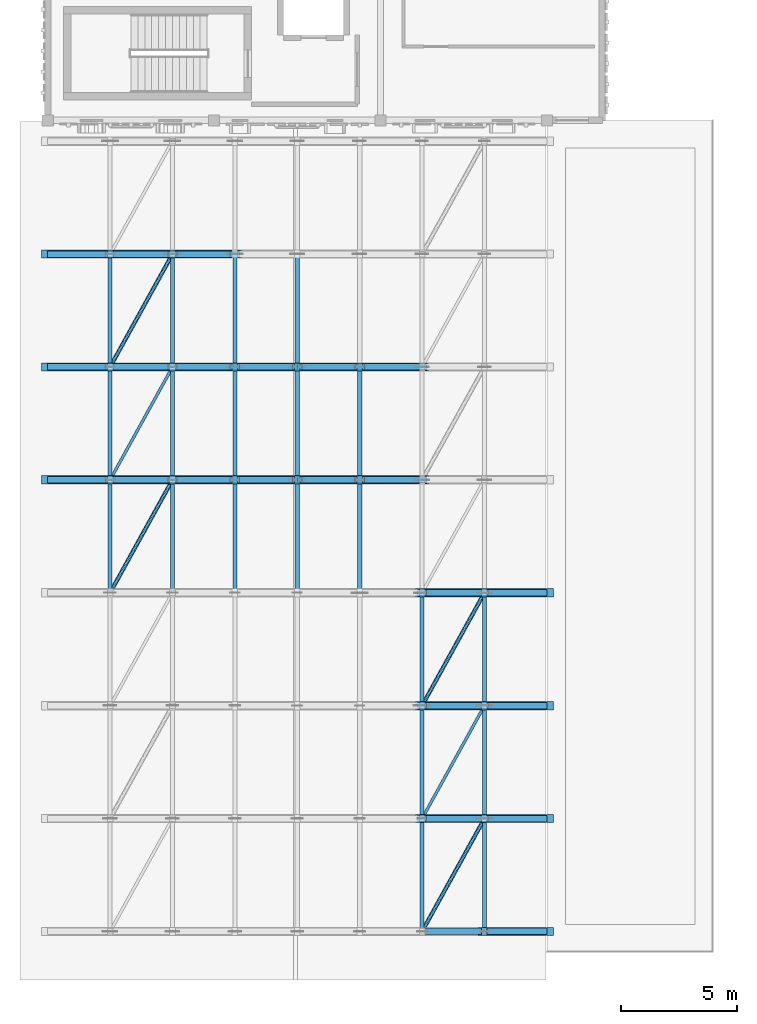
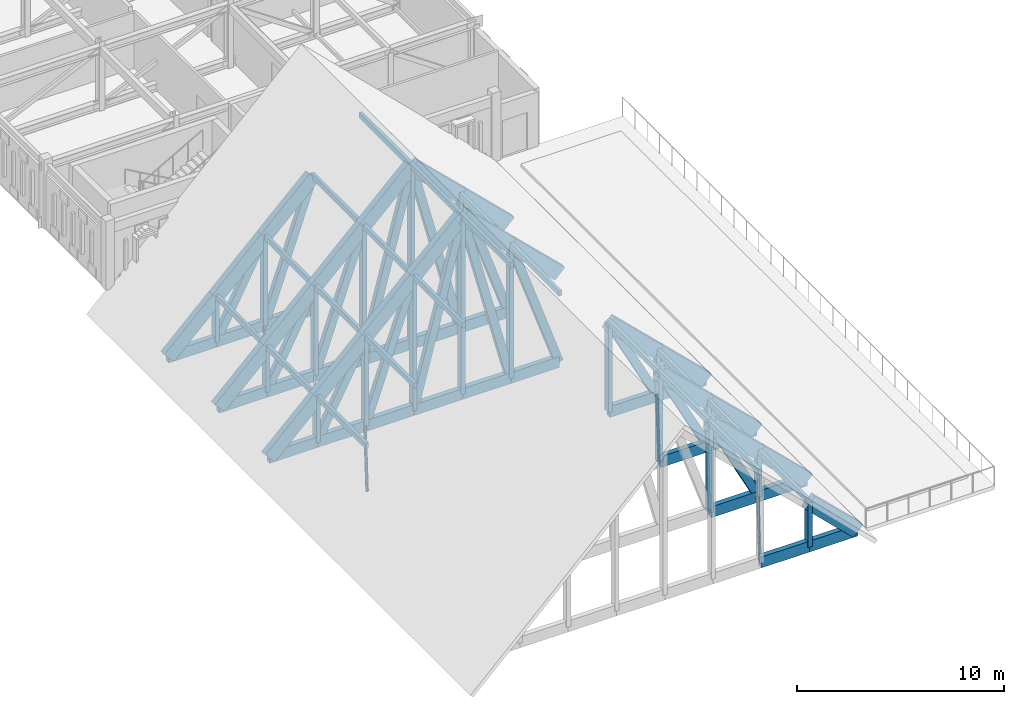
# One storey, part 8 of 79: 105 members.
"""IFC4 building model written with IfcOpenShell, lengths in metres."""

from ifc_helpers import new_model, si_unit, direction, frame, origin, origin_2d, place, context, subcontext, project, spatial, rectangle, hollow_rectangle, hollow_circle, extrude, material, material_profile, profile_set, type_object, element, save


model = new_model("IFC4")

# Units and contexts
model_context = context("Model", 3, precision=1e-05, world=origin(), true_north=direction((0.0, 1.0)))
body_context = subcontext(model_context, "Body", "Model", "MODEL_VIEW")
ifc_project = project(units=[si_unit("LENGTHUNIT", "METRE"), si_unit("AREAUNIT", "SQUARE_METRE"), si_unit("VOLUMEUNIT", "CUBIC_METRE"), si_unit("PLANEANGLEUNIT", "RADIAN"), si_unit("MASSUNIT", "GRAM", prefix="KILO")], contexts=[model_context])

# Site, building, storey
site_placement = place(None, origin())
site = spatial("IfcSite", under=ifc_project, at=site_placement, CompositionType="ELEMENT")
building_placement = place(site_placement, origin())
building = spatial("IfcBuilding", under=site, at=building_placement, Name="Nzembalo Square Collegiate School", CompositionType="ELEMENT")
storey_placement = place(building_placement, frame((0.0, 0.0, 9.52001953125)))
storey = spatial("IfcBuildingStorey", under=building, at=storey_placement, Name="L02", CompositionType="ELEMENT", Elevation=9.52001953125)

# Members
ifc_material_1 = material(Name="Steel S355", Category="steel")
ifc_material_profile_1 = material_profile(ifc_material_1, hollow_circle(Radius=0.083984375, WallThickness=0.008056640625, at=origin_2d()), Name="CHS 168x8")
ifc_profile_set_1 = profile_set([ifc_material_profile_1], Name="Steel S355")
member_type_1 = type_object("IfcMemberType", Name="BR01", PredefinedType="BRACE", material=ifc_profile_set_1)
for number, where, z_axis, x_axis, name in (
    (1, (24.60009765625, 9.300048828125, -0.60009765625), (0.483677294843, 0.875246407849, 0.0), (-0.875246407849, 0.483677294843, 0.0), "Roof wind brace BR01 GT-SH1-02-6"),
    (2, (24.60009765625, 19.0712890625, -0.60009765625), (0.483677294843, 0.875246407849, 0.0), (-0.875246407849, 0.483677294843, 0.0), "Roof wind brace BR01 GT-SH1-04-6"),
):
    element("IfcMember", number, at=place(storey_placement, frame(where, z_axis=z_axis, x_axis=x_axis)), inside=storey, type_object=member_type_1, Name=name, PredefinedType="BRACE", context=body_context, shape_type="SweptSolid", body=[
        extrude(hollow_circle(Radius=0.083984375, WallThickness=0.008056640625, at=origin_2d()), origin(), (0.0, 0.0, 1.0), 5.58203125),
    ])
member_1_placement = place(storey_placement, frame((11.10009765625, 23.95703125, -0.60009765625), z_axis=(0.483658780352, 0.875256639043, 0.0), x_axis=(-0.875256639043, 0.483658780352, 0.0)))
element("IfcMember", 3, at=member_1_placement, inside=storey, type_object=member_type_1, Name="Roof wind brace BR01 GT-SH1-05-1", PredefinedType="BRACE", context=body_context, shape_type="SweptSolid", body=[
    extrude(hollow_circle(Radius=0.083984375, WallThickness=0.008056640625, at=origin_2d()), origin(), (0.0, 0.0, 1.0), 5.582275390625),
])
member_2_placement = place(storey_placement, frame((11.10009765625, 33.728515625, -0.60009765625), z_axis=(0.483677294843, 0.875246407849, 0.0), x_axis=(-0.875246407849, 0.483677294843, 0.0)))
element("IfcMember", 4, at=member_2_placement, inside=storey, type_object=member_type_1, Name="Roof wind brace BR01 GT-SH1-07-1", PredefinedType="BRACE", context=body_context, shape_type="SweptSolid", body=[
    extrude(hollow_circle(Radius=0.083984375, WallThickness=0.008056640625, at=origin_2d()), origin(), (0.0, 0.0, 1.0), 5.58203125),
])
ifc_material_2 = material(Name="Steel S355", Category="steel")
ifc_material_profile_2 = material_profile(ifc_material_2, hollow_rectangle(XDim=0.1201171875, YDim=0.199951171875, WallThickness=0.008056640625, at=origin_2d()), Name="RHS 200x120x8")
ifc_profile_set_2 = profile_set([ifc_material_profile_2], Name="Steel S355")
member_type_2 = type_object("IfcMemberType", Name="BR02", PredefinedType="BRACE", material=ifc_profile_set_2)
for number, where, z_axis, x_axis, name in (
    (5, (24.60009765625, 14.185791015625, -0.60009765625), (0.483695810536, 0.875236175481, 0.0), (-0.875236175481, 0.483695810536, 0.0), "Roof wind brace BR02 GT-SH1-03-6"),
    (6, (11.10009765625, 28.843017578125, -0.60009765625), (0.483695810536, 0.875236175481, 0.0), (-0.875236175481, 0.483695810536, 0.0), "Roof wind brace BR02 GT-SH1-06-1"),
):
    element("IfcMember", number, at=place(storey_placement, frame(where, z_axis=z_axis, x_axis=x_axis)), inside=storey, type_object=member_type_2, Name=name, PredefinedType="BRACE", context=body_context, shape_type="SweptSolid", body=[
        extrude(hollow_rectangle(XDim=0.1201171875, YDim=0.199951171875, WallThickness=0.008056640625, at=origin_2d()), origin(), (0.0, 0.0, 1.0), 5.58203125),
    ])
ifc_material_3 = material(Name="Glulam GL28h", Category="wood")
ifc_material_profile_3 = material_profile(ifc_material_3, rectangle(XDim=0.179931640625, YDim=0.320068359375, at=origin_2d()), Name="GL28h 180x320")
ifc_profile_set_3 = profile_set([ifc_material_profile_3], Name="Glulam GL28h")
member_type_3 = type_object("IfcMemberType", Name="PR01", PredefinedType="PURLIN", material=ifc_profile_set_3)
for number, where, z_axis, x_axis, name in (
    (7, (24.60009765625, 9.300048828125, 4.675048828125), (0.0, 1.0, 0.0), (-1.0, 0.0, 0.0), "Roof purlin PR01 GT-SH1-02-6"),
    (8, (27.300048828125, 9.300048828125, 2.058349609375), (0.0, 1.0, 0.0), (-1.0, 0.0, 0.0), "Roof purlin PR01 GT-SH1-02-7"),
):
    element("IfcMember", number, at=place(storey_placement, frame(where, z_axis=z_axis, x_axis=x_axis)), inside=storey, type_object=member_type_3, Name=name, PredefinedType="PURLIN", context=body_context, shape_type="SweptSolid", body=[
        extrude(rectangle(XDim=0.179931640625, YDim=0.320068359375, at=origin_2d()), origin(), (0.0, 0.0, 1.0), 4.8857421875),
    ])
for number, where, z_axis, x_axis, name in (
    (9, (24.60009765625, 14.185791015625, 4.675048828125), (0.0, 1.0, 0.0), (-1.0, 0.0, 0.0), "Roof purlin PR01 GT-SH1-03-6"),
    (10, (27.300048828125, 14.185791015625, 2.058349609375), (0.0, 1.0, 0.0), (-1.0, 0.0, 0.0), "Roof purlin PR01 GT-SH1-03-7"),
):
    element("IfcMember", number, at=place(storey_placement, frame(where, z_axis=z_axis, x_axis=x_axis)), inside=storey, type_object=member_type_3, Name=name, PredefinedType="PURLIN", context=body_context, shape_type="SweptSolid", body=[
        extrude(rectangle(XDim=0.179931640625, YDim=0.320068359375, at=origin_2d()), origin(), (0.0, 0.0, 1.0), 4.885498046875),
    ])
for number, where, z_axis, x_axis, name in (
    (11, (24.60009765625, 19.0712890625, 4.675048828125), (0.0, 1.0, 0.0), (-1.0, 0.0, 0.0), "Roof purlin PR01 GT-SH1-04-6"),
    (12, (27.300048828125, 19.0712890625, 2.058349609375), (0.0, 1.0, 0.0), (-1.0, 0.0, 0.0), "Roof purlin PR01 GT-SH1-04-7"),
):
    element("IfcMember", number, at=place(storey_placement, frame(where, z_axis=z_axis, x_axis=x_axis)), inside=storey, type_object=member_type_3, Name=name, PredefinedType="PURLIN", context=body_context, shape_type="SweptSolid", body=[
        extrude(rectangle(XDim=0.179931640625, YDim=0.320068359375, at=origin_2d()), origin(), (0.0, 0.0, 1.0), 4.8857421875),
    ])
for number, where, z_axis, x_axis, name in (
    (13, (11.10009765625, 23.95703125, 2.058349609375), (0.0, 1.0, 0.0), (-1.0, 0.0, 0.0), "Roof purlin PR01 GT-SH1-05-1"),
    (14, (13.800048828125, 23.95703125, 4.675048828125), (0.0, 1.0, 0.0), (-1.0, 0.0, 0.0), "Roof purlin PR01 GT-SH1-05-2"),
    (15, (16.5, 23.95703125, 7.2900390625), (0.0, 1.0, 0.0), (-1.0, 0.0, 0.0), "Roof purlin PR01 GT-SH1-05-3"),
    (16, (19.199951171875, 23.95703125, 9.905029296875), (0.0, 1.0, 0.0), (-1.0, 0.0, 0.0), "Roof purlin PR01 GT-SH1-05-4"),
    (17, (21.89990234375, 23.95703125, 7.2900390625), (0.0, 1.0, 0.0), (-1.0, 0.0, 0.0), "Roof purlin PR01 GT-SH1-05-5"),
):
    element("IfcMember", number, at=place(storey_placement, frame(where, z_axis=z_axis, x_axis=x_axis)), inside=storey, type_object=member_type_3, Name=name, PredefinedType="PURLIN", context=body_context, shape_type="SweptSolid", body=[
        extrude(rectangle(XDim=0.179931640625, YDim=0.320068359375, at=origin_2d()), origin(), (0.0, 0.0, 1.0), 4.885986328125),
    ])
for number, where, z_axis, x_axis, name in (
    (18, (11.10009765625, 28.843017578125, 2.058349609375), (0.0, 1.0, 0.0), (-1.0, 0.0, 0.0), "Roof purlin PR01 GT-SH1-06-1"),
    (19, (13.800048828125, 28.843017578125, 4.675048828125), (0.0, 1.0, 0.0), (-1.0, 0.0, 0.0), "Roof purlin PR01 GT-SH1-06-2"),
    (20, (16.5, 28.843017578125, 7.2900390625), (0.0, 1.0, 0.0), (-1.0, 0.0, 0.0), "Roof purlin PR01 GT-SH1-06-3"),
    (21, (19.199951171875, 28.843017578125, 9.905029296875), (0.0, 1.0, 0.0), (-1.0, 0.0, 0.0), "Roof purlin PR01 GT-SH1-06-4"),
    (22, (21.89990234375, 28.843017578125, 7.2900390625), (0.0, 1.0, 0.0), (-1.0, 0.0, 0.0), "Roof purlin PR01 GT-SH1-06-5"),
):
    element("IfcMember", number, at=place(storey_placement, frame(where, z_axis=z_axis, x_axis=x_axis)), inside=storey, type_object=member_type_3, Name=name, PredefinedType="PURLIN", context=body_context, shape_type="SweptSolid", body=[
        extrude(rectangle(XDim=0.179931640625, YDim=0.320068359375, at=origin_2d()), origin(), (0.0, 0.0, 1.0), 4.885498046875),
    ])
for number, where, z_axis, x_axis, name in (
    (23, (11.10009765625, 33.728515625, 2.058349609375), (0.0, 1.0, 0.0), (-1.0, 0.0, 0.0), "Roof purlin PR01 GT-SH1-07-1"),
    (24, (13.800048828125, 33.728515625, 4.675048828125), (0.0, 1.0, 0.0), (-1.0, 0.0, 0.0), "Roof purlin PR01 GT-SH1-07-2"),
    (25, (16.5, 33.728515625, 7.2900390625), (0.0, 1.0, 0.0), (-1.0, 0.0, 0.0), "Roof purlin PR01 GT-SH1-07-3"),
    (26, (19.199951171875, 33.728515625, 9.905029296875), (0.0, 1.0, 0.0), (-1.0, 0.0, 0.0), "Roof purlin PR01 GT-SH1-07-4"),
):
    element("IfcMember", number, at=place(storey_placement, frame(where, z_axis=z_axis, x_axis=x_axis)), inside=storey, type_object=member_type_3, Name=name, PredefinedType="PURLIN", context=body_context, shape_type="SweptSolid", body=[
        extrude(rectangle(XDim=0.179931640625, YDim=0.320068359375, at=origin_2d()), origin(), (0.0, 0.0, 1.0), 4.8857421875),
    ])
ifc_material_4 = material(Name="Glulam GL32h", Category="wood")
ifc_material_profile_4 = material_profile(ifc_material_4, rectangle(XDim=0.360107421875, YDim=0.800048828125, at=origin_2d()), Name="GL32h 360x800")
ifc_profile_set_4 = profile_set([ifc_material_profile_4], Name="Glulam GL32h")
member_type_4 = type_object("IfcMemberType", Name="TC01", PredefinedType="CHORD", material=ifc_profile_set_4)
for number, where, z_axis, x_axis, name in (
    (27, (27.300048828125, 9.300048828125, 2.014892578125), (0.71831832581, 0.0, -0.695714584298), (0.0, 1.0, 0.0), "GT-SH1-01 top chord 8"),
    (28, (24.60009765625, 14.185791015625, 4.6298828125), (0.71831832581, 0.0, -0.695714584298), (0.0, 1.0, 0.0), "GT-SH1-02 top chord 7"),
    (29, (27.300048828125, 14.185791015625, 2.014892578125), (0.71831832581, 0.0, -0.695714584298), (0.0, 1.0, 0.0), "GT-SH1-02 top chord 8"),
    (30, (24.60009765625, 19.0712890625, 4.6298828125), (0.71831832581, 0.0, -0.695714584298), (0.0, 1.0, 0.0), "GT-SH1-03 top chord 7"),
    (31, (27.300048828125, 19.0712890625, 2.014892578125), (0.71831832581, 0.0, -0.695714584298), (0.0, 1.0, 0.0), "GT-SH1-03 top chord 8"),
    (32, (24.60009765625, 23.95703125, 4.6298828125), (0.71831832581, 0.0, -0.695714584298), (0.0, 1.0, 0.0), "GT-SH1-04 top chord 7"),
    (33, (27.300048828125, 23.95703125, 2.014892578125), (0.71831832581, 0.0, -0.695714584298), (0.0, 1.0, 0.0), "GT-SH1-04 top chord 8"),
    (34, (8.39990234375, 28.843017578125, -0.60009765625), (0.718349762218, 0.0, 0.695682125056), (0.0, 1.0, 0.0), "GT-SH1-05 top chord 1"),
    (35, (11.10009765625, 28.843017578125, 2.014892578125), (0.71831832581, 0.0, 0.695714584298), (0.0, 1.0, 0.0), "GT-SH1-05 top chord 2"),
    (36, (13.800048828125, 28.843017578125, 4.6298828125), (0.71831832581, 0.0, 0.695714584298), (0.0, 1.0, 0.0), "GT-SH1-05 top chord 3"),
    (37, (16.5, 28.843017578125, 7.244873046875), (0.71831832581, 0.0, 0.695714584298), (0.0, 1.0, 0.0), "GT-SH1-05 top chord 4"),
    (38, (19.199951171875, 28.843017578125, 9.85986328125), (0.71831832581, 0.0, -0.695714584298), (0.0, 1.0, 0.0), "GT-SH1-05 top chord 5"),
    (39, (21.89990234375, 28.843017578125, 7.244873046875), (0.718349762218, 0.0, -0.695682125056), (0.0, 1.0, 0.0), "GT-SH1-05 top chord 6"),
    (40, (8.39990234375, 33.728515625, -0.60009765625), (0.718349762218, 0.0, 0.695682125056), (0.0, 1.0, 0.0), "GT-SH1-06 top chord 1"),
    (41, (11.10009765625, 33.728515625, 2.014892578125), (0.71831832581, 0.0, 0.695714584298), (0.0, 1.0, 0.0), "GT-SH1-06 top chord 2"),
    (42, (13.800048828125, 33.728515625, 4.6298828125), (0.71831832581, 0.0, 0.695714584298), (0.0, 1.0, 0.0), "GT-SH1-06 top chord 3"),
    (43, (16.5, 33.728515625, 7.244873046875), (0.71831832581, 0.0, 0.695714584298), (0.0, 1.0, 0.0), "GT-SH1-06 top chord 4"),
    (44, (19.199951171875, 33.728515625, 9.85986328125), (0.71831832581, 0.0, -0.695714584298), (0.0, 1.0, 0.0), "GT-SH1-06 top chord 5"),
    (45, (21.89990234375, 33.728515625, 7.244873046875), (0.718349762218, 0.0, -0.695682125056), (0.0, 1.0, 0.0), "GT-SH1-06 top chord 6"),
    (46, (8.39990234375, 38.6142578125, -0.60009765625), (0.718349762218, 0.0, 0.695682125056), (0.0, 1.0, 0.0), "GT-SH1-07 top chord 1"),
    (47, (11.10009765625, 38.6142578125, 2.014892578125), (0.71831832581, 0.0, 0.695714584298), (0.0, 1.0, 0.0), "GT-SH1-07 top chord 2"),
    (48, (13.800048828125, 38.6142578125, 4.6298828125), (0.71831832581, 0.0, 0.695714584298), (0.0, 1.0, 0.0), "GT-SH1-07 top chord 3"),
):
    element("IfcMember", number, at=place(storey_placement, frame(where, z_axis=z_axis, x_axis=x_axis)), inside=storey, type_object=member_type_4, Name=name, PredefinedType="CHORD", context=body_context, shape_type="SweptSolid", body=[
        extrude(rectangle(XDim=0.360107421875, YDim=0.800048828125, at=origin_2d()), origin(), (0.0, 0.0, 1.0), 3.7587890625),
    ])
ifc_material_5 = material(Name="Glulam GL32h", Category="wood")
ifc_material_profile_5 = material_profile(ifc_material_5, rectangle(XDim=0.280029296875, YDim=0.639892578125, at=origin_2d()), Name="GL32h 280x640")
ifc_profile_set_5 = profile_set([ifc_material_profile_5], Name="Glulam GL32h")
member_type_5 = type_object("IfcMemberType", Name="TC02", PredefinedType="CHORD", material=ifc_profile_set_5)
for number, where, z_axis, x_axis, name in (
    (49, (24.60009765625, 9.300048828125, -0.60009765625), (1.0, 0.0, 0.0), (0.0, 1.0, 0.0), "GT-SH1-01 bottom chord 7"),
    (50, (27.300048828125, 9.300048828125, -0.60009765625), (1.0, 0.0, 0.0), (0.0, 1.0, 0.0), "GT-SH1-01 bottom chord 8"),
    (51, (24.60009765625, 14.185791015625, -0.60009765625), (1.0, 0.0, 0.0), (0.0, 1.0, 0.0), "GT-SH1-02 bottom chord 7"),
    (52, (27.300048828125, 14.185791015625, -0.60009765625), (1.0, 0.0, 0.0), (0.0, 1.0, 0.0), "GT-SH1-02 bottom chord 8"),
    (53, (24.60009765625, 19.0712890625, -0.60009765625), (1.0, 0.0, 0.0), (0.0, 1.0, 0.0), "GT-SH1-03 bottom chord 7"),
    (54, (27.300048828125, 19.0712890625, -0.60009765625), (1.0, 0.0, 0.0), (0.0, 1.0, 0.0), "GT-SH1-03 bottom chord 8"),
    (55, (24.60009765625, 23.95703125, -0.60009765625), (1.0, 0.0, 0.0), (0.0, 1.0, 0.0), "GT-SH1-04 bottom chord 7"),
    (56, (27.300048828125, 23.95703125, -0.60009765625), (1.0, 0.0, 0.0), (0.0, 1.0, 0.0), "GT-SH1-04 bottom chord 8"),
):
    element("IfcMember", number, at=place(storey_placement, frame(where, z_axis=z_axis, x_axis=x_axis)), inside=storey, type_object=member_type_5, Name=name, PredefinedType="CHORD", context=body_context, shape_type="SweptSolid", body=[
        extrude(rectangle(XDim=0.280029296875, YDim=0.639892578125, at=origin_2d()), origin(), (0.0, 0.0, 1.0), 2.699951171875),
    ])
member_3_placement = place(storey_placement, frame((8.39990234375, 28.843017578125, -0.60009765625), z_axis=(1.0, 0.0, 0.0), x_axis=(0.0, 1.0, 0.0)))
element("IfcMember", 57, at=member_3_placement, inside=storey, type_object=member_type_5, Name="GT-SH1-05 bottom chord 1", PredefinedType="CHORD", context=body_context, shape_type="SweptSolid", body=[
    extrude(rectangle(XDim=0.280029296875, YDim=0.639892578125, at=origin_2d()), origin(), (0.0, 0.0, 1.0), 2.7001953125),
])
for number, where, z_axis, x_axis, name in (
    (58, (11.10009765625, 28.843017578125, -0.60009765625), (1.0, 0.0, 0.0), (0.0, 1.0, 0.0), "GT-SH1-05 bottom chord 2"),
    (59, (13.800048828125, 28.843017578125, -0.60009765625), (1.0, 0.0, 0.0), (0.0, 1.0, 0.0), "GT-SH1-05 bottom chord 3"),
    (60, (16.5, 28.843017578125, -0.60009765625), (1.0, 0.0, 0.0), (0.0, 1.0, 0.0), "GT-SH1-05 bottom chord 4"),
    (61, (19.199951171875, 28.843017578125, -0.60009765625), (1.0, 0.0, 0.0), (0.0, 1.0, 0.0), "GT-SH1-05 bottom chord 5"),
):
    element("IfcMember", number, at=place(storey_placement, frame(where, z_axis=z_axis, x_axis=x_axis)), inside=storey, type_object=member_type_5, Name=name, PredefinedType="CHORD", context=body_context, shape_type="SweptSolid", body=[
        extrude(rectangle(XDim=0.280029296875, YDim=0.639892578125, at=origin_2d()), origin(), (0.0, 0.0, 1.0), 2.699951171875),
    ])
for number, where, z_axis, x_axis, name in (
    (62, (21.89990234375, 28.843017578125, -0.60009765625), (1.0, 0.0, 0.0), (0.0, 1.0, 0.0), "GT-SH1-05 bottom chord 6"),
    (63, (8.39990234375, 33.728515625, -0.60009765625), (1.0, 0.0, 0.0), (0.0, 1.0, 0.0), "GT-SH1-06 bottom chord 1"),
):
    element("IfcMember", number, at=place(storey_placement, frame(where, z_axis=z_axis, x_axis=x_axis)), inside=storey, type_object=member_type_5, Name=name, PredefinedType="CHORD", context=body_context, shape_type="SweptSolid", body=[
        extrude(rectangle(XDim=0.280029296875, YDim=0.639892578125, at=origin_2d()), origin(), (0.0, 0.0, 1.0), 2.7001953125),
    ])
for number, where, z_axis, x_axis, name in (
    (64, (11.10009765625, 33.728515625, -0.60009765625), (1.0, 0.0, 0.0), (0.0, 1.0, 0.0), "GT-SH1-06 bottom chord 2"),
    (65, (13.800048828125, 33.728515625, -0.60009765625), (1.0, 0.0, 0.0), (0.0, 1.0, 0.0), "GT-SH1-06 bottom chord 3"),
    (66, (16.5, 33.728515625, -0.60009765625), (1.0, 0.0, 0.0), (0.0, 1.0, 0.0), "GT-SH1-06 bottom chord 4"),
    (67, (19.199951171875, 33.728515625, -0.60009765625), (1.0, 0.0, 0.0), (0.0, 1.0, 0.0), "GT-SH1-06 bottom chord 5"),
):
    element("IfcMember", number, at=place(storey_placement, frame(where, z_axis=z_axis, x_axis=x_axis)), inside=storey, type_object=member_type_5, Name=name, PredefinedType="CHORD", context=body_context, shape_type="SweptSolid", body=[
        extrude(rectangle(XDim=0.280029296875, YDim=0.639892578125, at=origin_2d()), origin(), (0.0, 0.0, 1.0), 2.699951171875),
    ])
for number, where, z_axis, x_axis, name in (
    (68, (21.89990234375, 33.728515625, -0.60009765625), (1.0, 0.0, 0.0), (0.0, 1.0, 0.0), "GT-SH1-06 bottom chord 6"),
    (69, (8.39990234375, 38.6142578125, -0.60009765625), (1.0, 0.0, 0.0), (0.0, 1.0, 0.0), "GT-SH1-07 bottom chord 1"),
):
    element("IfcMember", number, at=place(storey_placement, frame(where, z_axis=z_axis, x_axis=x_axis)), inside=storey, type_object=member_type_5, Name=name, PredefinedType="CHORD", context=body_context, shape_type="SweptSolid", body=[
        extrude(rectangle(XDim=0.280029296875, YDim=0.639892578125, at=origin_2d()), origin(), (0.0, 0.0, 1.0), 2.7001953125),
    ])
for number, where, z_axis, x_axis, name in (
    (70, (11.10009765625, 38.6142578125, -0.60009765625), (1.0, 0.0, 0.0), (0.0, 1.0, 0.0), "GT-SH1-07 bottom chord 2"),
    (71, (13.800048828125, 38.6142578125, -0.60009765625), (1.0, 0.0, 0.0), (0.0, 1.0, 0.0), "GT-SH1-07 bottom chord 3"),
):
    element("IfcMember", number, at=place(storey_placement, frame(where, z_axis=z_axis, x_axis=x_axis)), inside=storey, type_object=member_type_5, Name=name, PredefinedType="CHORD", context=body_context, shape_type="SweptSolid", body=[
        extrude(rectangle(XDim=0.280029296875, YDim=0.639892578125, at=origin_2d()), origin(), (0.0, 0.0, 1.0), 2.699951171875),
    ])
ifc_material_6 = material(Name="Glulam GL32h", Category="wood")
ifc_material_profile_6 = material_profile(ifc_material_6, rectangle(XDim=0.280029296875, YDim=0.43994140625, at=origin_2d()), Name="GL32h 280x440")
ifc_profile_set_6 = profile_set([ifc_material_profile_6], Name="Glulam GL32h")
member_type_6 = type_object("IfcMemberType", Name="TD01", PredefinedType="BRACE", material=ifc_profile_set_6)
for number, where, z_axis, x_axis, name in (
    (72, (27.300048828125, 14.185791015625, -0.60009765625), (-0.458724275369, 0.0, 0.888578662352), (0.0, -1.0, 0.0), "GT-SH1-02 web diagonal 6"),
    (73, (27.300048828125, 19.0712890625, -0.60009765625), (-0.458724275369, 0.0, 0.888578662352), (0.0, -1.0, 0.0), "GT-SH1-03 web diagonal 6"),
    (74, (27.300048828125, 23.95703125, -0.60009765625), (-0.458724275369, 0.0, 0.888578662352), (0.0, -1.0, 0.0), "GT-SH1-04 web diagonal 6"),
    (75, (11.10009765625, 28.843017578125, -0.60009765625), (0.458724275369, 0.0, 0.888578662352), (0.0, 1.0, 0.0), "GT-SH1-05 web diagonal 1"),
):
    element("IfcMember", number, at=place(storey_placement, frame(where, z_axis=z_axis, x_axis=x_axis)), inside=storey, type_object=member_type_6, Name=name, PredefinedType="BRACE", context=body_context, shape_type="SweptSolid", body=[
        extrude(rectangle(XDim=0.280029296875, YDim=0.43994140625, at=origin_2d()), origin(), (0.0, 0.0, 1.0), 5.8857421875),
    ])
member_4_placement = place(storey_placement, frame((13.800048828125, 28.843017578125, -0.60009765625), z_axis=(0.325429268031, 0.0, 0.945566386622), x_axis=(0.0, 1.0, 0.0)))
element("IfcMember", 76, at=member_4_placement, inside=storey, type_object=member_type_6, Name="GT-SH1-05 web diagonal 2", PredefinedType="BRACE", context=body_context, shape_type="SweptSolid", body=[
    extrude(rectangle(XDim=0.280029296875, YDim=0.43994140625, at=origin_2d()), origin(), (0.0, 0.0, 1.0), 8.296630859375),
])
for number, where, z_axis, x_axis, name in (
    (77, (16.5, 28.843017578125, -0.60009765625), (0.249930648512, 0.0, 0.96826374038), (0.0, 1.0, 0.0), "GT-SH1-05 web diagonal 3"),
    (78, (21.89990234375, 28.843017578125, -0.60009765625), (-0.249930648512, 0.0, 0.96826374038), (0.0, -1.0, 0.0), "GT-SH1-05 web diagonal 4"),
):
    element("IfcMember", number, at=place(storey_placement, frame(where, z_axis=z_axis, x_axis=x_axis)), inside=storey, type_object=member_type_6, Name=name, PredefinedType="BRACE", context=body_context, shape_type="SweptSolid", body=[
        extrude(rectangle(XDim=0.280029296875, YDim=0.43994140625, at=origin_2d()), origin(), (0.0, 0.0, 1.0), 10.802734375),
    ])
member_5_placement = place(storey_placement, frame((24.60009765625, 28.843017578125, -0.60009765625), z_axis=(-0.325455577893, 0.0, 0.945557331323), x_axis=(0.0, -1.0, 0.0)))
element("IfcMember", 79, at=member_5_placement, inside=storey, type_object=member_type_6, Name="GT-SH1-05 web diagonal 5", PredefinedType="BRACE", context=body_context, shape_type="SweptSolid", body=[
    extrude(rectangle(XDim=0.280029296875, YDim=0.43994140625, at=origin_2d()), origin(), (0.0, 0.0, 1.0), 8.296630859375),
])
member_6_placement = place(storey_placement, frame((11.10009765625, 33.728515625, -0.60009765625), z_axis=(0.458724275369, 0.0, 0.888578662352), x_axis=(0.0, 1.0, 0.0)))
element("IfcMember", 80, at=member_6_placement, inside=storey, type_object=member_type_6, Name="GT-SH1-06 web diagonal 1", PredefinedType="BRACE", context=body_context, shape_type="SweptSolid", body=[
    extrude(rectangle(XDim=0.280029296875, YDim=0.43994140625, at=origin_2d()), origin(), (0.0, 0.0, 1.0), 5.8857421875),
])
member_7_placement = place(storey_placement, frame((13.800048828125, 33.728515625, -0.60009765625), z_axis=(0.325429268031, 0.0, 0.945566386622), x_axis=(0.0, 1.0, 0.0)))
element("IfcMember", 81, at=member_7_placement, inside=storey, type_object=member_type_6, Name="GT-SH1-06 web diagonal 2", PredefinedType="BRACE", context=body_context, shape_type="SweptSolid", body=[
    extrude(rectangle(XDim=0.280029296875, YDim=0.43994140625, at=origin_2d()), origin(), (0.0, 0.0, 1.0), 8.296630859375),
])
for number, where, z_axis, x_axis, name in (
    (82, (16.5, 33.728515625, -0.60009765625), (0.249930648512, 0.0, 0.96826374038), (0.0, 1.0, 0.0), "GT-SH1-06 web diagonal 3"),
    (83, (21.89990234375, 33.728515625, -0.60009765625), (-0.249930648512, 0.0, 0.96826374038), (0.0, -1.0, 0.0), "GT-SH1-06 web diagonal 4"),
):
    element("IfcMember", number, at=place(storey_placement, frame(where, z_axis=z_axis, x_axis=x_axis)), inside=storey, type_object=member_type_6, Name=name, PredefinedType="BRACE", context=body_context, shape_type="SweptSolid", body=[
        extrude(rectangle(XDim=0.280029296875, YDim=0.43994140625, at=origin_2d()), origin(), (0.0, 0.0, 1.0), 10.802734375),
    ])
member_8_placement = place(storey_placement, frame((24.60009765625, 33.728515625, -0.60009765625), z_axis=(-0.325455577893, 0.0, 0.945557331323), x_axis=(0.0, -1.0, 0.0)))
element("IfcMember", 84, at=member_8_placement, inside=storey, type_object=member_type_6, Name="GT-SH1-06 web diagonal 5", PredefinedType="BRACE", context=body_context, shape_type="SweptSolid", body=[
    extrude(rectangle(XDim=0.280029296875, YDim=0.43994140625, at=origin_2d()), origin(), (0.0, 0.0, 1.0), 8.296630859375),
])
member_9_placement = place(storey_placement, frame((11.10009765625, 38.6142578125, -0.60009765625), z_axis=(0.458724275369, 0.0, 0.888578662352), x_axis=(0.0, 1.0, 0.0)))
element("IfcMember", 85, at=member_9_placement, inside=storey, type_object=member_type_6, Name="GT-SH1-07 web diagonal 1", PredefinedType="BRACE", context=body_context, shape_type="SweptSolid", body=[
    extrude(rectangle(XDim=0.280029296875, YDim=0.43994140625, at=origin_2d()), origin(), (0.0, 0.0, 1.0), 5.8857421875),
])
member_10_placement = place(storey_placement, frame((13.800048828125, 38.6142578125, -0.60009765625), z_axis=(0.325429268031, 0.0, 0.945566386622), x_axis=(0.0, 1.0, 0.0)))
element("IfcMember", 86, at=member_10_placement, inside=storey, type_object=member_type_6, Name="GT-SH1-07 web diagonal 2", PredefinedType="BRACE", context=body_context, shape_type="SweptSolid", body=[
    extrude(rectangle(XDim=0.280029296875, YDim=0.43994140625, at=origin_2d()), origin(), (0.0, 0.0, 1.0), 8.296630859375),
])
ifc_material_7 = material(Name="Glulam GL32h", Category="wood")
ifc_material_profile_7 = material_profile(ifc_material_7, rectangle(XDim=0.239990234375, YDim=0.360107421875, at=origin_2d()), Name="GL32h 240x360")
ifc_profile_set_7 = profile_set([ifc_material_profile_7], Name="Glulam GL32h")
member_type_7 = type_object("IfcMemberType", Name="TP01", PredefinedType="POST", material=ifc_profile_set_7)
member_11_placement = place(storey_placement, frame((27.300048828125, 9.300048828125, -0.60009765625), z_axis=(0.0, 0.0, 1.0), x_axis=(1.0, 0.0, 0.0)))
element("IfcMember", 87, at=member_11_placement, inside=storey, type_object=member_type_7, Name="GT-SH1-01 vertical post 7", PredefinedType="POST", context=body_context, shape_type="SweptSolid", body=[
    extrude(rectangle(XDim=0.239990234375, YDim=0.360107421875, at=origin_2d()), origin(), (0.0, 0.0, 1.0), 2.614990234375),
])
member_12_placement = place(storey_placement, frame((24.60009765625, 14.185791015625, -0.60009765625), z_axis=(0.0, 0.0, 1.0), x_axis=(1.0, 0.0, 0.0)))
element("IfcMember", 88, at=member_12_placement, inside=storey, type_object=member_type_7, Name="GT-SH1-02 vertical post 6", PredefinedType="POST", context=body_context, shape_type="SweptSolid", body=[
    extrude(rectangle(XDim=0.239990234375, YDim=0.360107421875, at=origin_2d()), origin(), (0.0, 0.0, 1.0), 5.22998046875),
])
member_13_placement = place(storey_placement, frame((27.300048828125, 14.185791015625, -0.60009765625), z_axis=(0.0, 0.0, 1.0), x_axis=(1.0, 0.0, 0.0)))
element("IfcMember", 89, at=member_13_placement, inside=storey, type_object=member_type_7, Name="GT-SH1-02 vertical post 7", PredefinedType="POST", context=body_context, shape_type="SweptSolid", body=[
    extrude(rectangle(XDim=0.239990234375, YDim=0.360107421875, at=origin_2d()), origin(), (0.0, 0.0, 1.0), 2.614990234375),
])
member_14_placement = place(storey_placement, frame((24.60009765625, 19.0712890625, -0.60009765625), z_axis=(0.0, 0.0, 1.0), x_axis=(1.0, 0.0, 0.0)))
element("IfcMember", 90, at=member_14_placement, inside=storey, type_object=member_type_7, Name="GT-SH1-03 vertical post 6", PredefinedType="POST", context=body_context, shape_type="SweptSolid", body=[
    extrude(rectangle(XDim=0.239990234375, YDim=0.360107421875, at=origin_2d()), origin(), (0.0, 0.0, 1.0), 5.22998046875),
])
member_15_placement = place(storey_placement, frame((27.300048828125, 19.0712890625, -0.60009765625), z_axis=(0.0, 0.0, 1.0), x_axis=(1.0, 0.0, 0.0)))
element("IfcMember", 91, at=member_15_placement, inside=storey, type_object=member_type_7, Name="GT-SH1-03 vertical post 7", PredefinedType="POST", context=body_context, shape_type="SweptSolid", body=[
    extrude(rectangle(XDim=0.239990234375, YDim=0.360107421875, at=origin_2d()), origin(), (0.0, 0.0, 1.0), 2.614990234375),
])
member_16_placement = place(storey_placement, frame((24.60009765625, 23.95703125, -0.60009765625), z_axis=(0.0, 0.0, 1.0), x_axis=(1.0, 0.0, 0.0)))
element("IfcMember", 92, at=member_16_placement, inside=storey, type_object=member_type_7, Name="GT-SH1-04 vertical post 6", PredefinedType="POST", context=body_context, shape_type="SweptSolid", body=[
    extrude(rectangle(XDim=0.239990234375, YDim=0.360107421875, at=origin_2d()), origin(), (0.0, 0.0, 1.0), 5.22998046875),
])
for number, where, z_axis, x_axis, name in (
    (93, (27.300048828125, 23.95703125, -0.60009765625), (0.0, 0.0, 1.0), (1.0, 0.0, 0.0), "GT-SH1-04 vertical post 7"),
    (94, (11.10009765625, 28.843017578125, -0.60009765625), (0.0, 0.0, 1.0), (1.0, 0.0, 0.0), "GT-SH1-05 vertical post 1"),
):
    element("IfcMember", number, at=place(storey_placement, frame(where, z_axis=z_axis, x_axis=x_axis)), inside=storey, type_object=member_type_7, Name=name, PredefinedType="POST", context=body_context, shape_type="SweptSolid", body=[
        extrude(rectangle(XDim=0.239990234375, YDim=0.360107421875, at=origin_2d()), origin(), (0.0, 0.0, 1.0), 2.614990234375),
    ])
member_17_placement = place(storey_placement, frame((13.800048828125, 28.843017578125, -0.60009765625), z_axis=(0.0, 0.0, 1.0), x_axis=(1.0, 0.0, 0.0)))
element("IfcMember", 95, at=member_17_placement, inside=storey, type_object=member_type_7, Name="GT-SH1-05 vertical post 2", PredefinedType="POST", context=body_context, shape_type="SweptSolid", body=[
    extrude(rectangle(XDim=0.239990234375, YDim=0.360107421875, at=origin_2d()), origin(), (0.0, 0.0, 1.0), 5.22998046875),
])
member_18_placement = place(storey_placement, frame((16.5, 28.843017578125, -0.60009765625), z_axis=(0.0, 0.0, 1.0), x_axis=(1.0, 0.0, 0.0)))
element("IfcMember", 96, at=member_18_placement, inside=storey, type_object=member_type_7, Name="GT-SH1-05 vertical post 3", PredefinedType="POST", context=body_context, shape_type="SweptSolid", body=[
    extrude(rectangle(XDim=0.239990234375, YDim=0.360107421875, at=origin_2d()), origin(), (0.0, 0.0, 1.0), 7.844970703125),
])
member_19_placement = place(storey_placement, frame((19.199951171875, 28.843017578125, -0.60009765625), z_axis=(0.0, 0.0, 1.0), x_axis=(1.0, 0.0, 0.0)))
element("IfcMember", 97, at=member_19_placement, inside=storey, type_object=member_type_7, Name="GT-SH1-05 vertical post 4", PredefinedType="POST", context=body_context, shape_type="SweptSolid", body=[
    extrude(rectangle(XDim=0.239990234375, YDim=0.360107421875, at=origin_2d()), origin(), (0.0, 0.0, 1.0), 10.4599609375),
])
member_20_placement = place(storey_placement, frame((21.89990234375, 28.843017578125, -0.60009765625), z_axis=(0.0, 0.0, 1.0), x_axis=(1.0, 0.0, 0.0)))
element("IfcMember", 98, at=member_20_placement, inside=storey, type_object=member_type_7, Name="GT-SH1-05 vertical post 5", PredefinedType="POST", context=body_context, shape_type="SweptSolid", body=[
    extrude(rectangle(XDim=0.239990234375, YDim=0.360107421875, at=origin_2d()), origin(), (0.0, 0.0, 1.0), 7.844970703125),
])
member_21_placement = place(storey_placement, frame((11.10009765625, 33.728515625, -0.60009765625), z_axis=(0.0, 0.0, 1.0), x_axis=(1.0, 0.0, 0.0)))
element("IfcMember", 99, at=member_21_placement, inside=storey, type_object=member_type_7, Name="GT-SH1-06 vertical post 1", PredefinedType="POST", context=body_context, shape_type="SweptSolid", body=[
    extrude(rectangle(XDim=0.239990234375, YDim=0.360107421875, at=origin_2d()), origin(), (0.0, 0.0, 1.0), 2.614990234375),
])
member_22_placement = place(storey_placement, frame((13.800048828125, 33.728515625, -0.60009765625), z_axis=(0.0, 0.0, 1.0), x_axis=(1.0, 0.0, 0.0)))
element("IfcMember", 100, at=member_22_placement, inside=storey, type_object=member_type_7, Name="GT-SH1-06 vertical post 2", PredefinedType="POST", context=body_context, shape_type="SweptSolid", body=[
    extrude(rectangle(XDim=0.239990234375, YDim=0.360107421875, at=origin_2d()), origin(), (0.0, 0.0, 1.0), 5.22998046875),
])
member_23_placement = place(storey_placement, frame((16.5, 33.728515625, -0.60009765625), z_axis=(0.0, 0.0, 1.0), x_axis=(1.0, 0.0, 0.0)))
element("IfcMember", 101, at=member_23_placement, inside=storey, type_object=member_type_7, Name="GT-SH1-06 vertical post 3", PredefinedType="POST", context=body_context, shape_type="SweptSolid", body=[
    extrude(rectangle(XDim=0.239990234375, YDim=0.360107421875, at=origin_2d()), origin(), (0.0, 0.0, 1.0), 7.844970703125),
])
member_24_placement = place(storey_placement, frame((19.199951171875, 33.728515625, -0.60009765625), z_axis=(0.0, 0.0, 1.0), x_axis=(1.0, 0.0, 0.0)))
element("IfcMember", 102, at=member_24_placement, inside=storey, type_object=member_type_7, Name="GT-SH1-06 vertical post 4", PredefinedType="POST", context=body_context, shape_type="SweptSolid", body=[
    extrude(rectangle(XDim=0.239990234375, YDim=0.360107421875, at=origin_2d()), origin(), (0.0, 0.0, 1.0), 10.4599609375),
])
member_25_placement = place(storey_placement, frame((21.89990234375, 33.728515625, -0.60009765625), z_axis=(0.0, 0.0, 1.0), x_axis=(1.0, 0.0, 0.0)))
element("IfcMember", 103, at=member_25_placement, inside=storey, type_object=member_type_7, Name="GT-SH1-06 vertical post 5", PredefinedType="POST", context=body_context, shape_type="SweptSolid", body=[
    extrude(rectangle(XDim=0.239990234375, YDim=0.360107421875, at=origin_2d()), origin(), (0.0, 0.0, 1.0), 7.844970703125),
])
member_26_placement = place(storey_placement, frame((11.10009765625, 38.6142578125, -0.60009765625), z_axis=(0.0, 0.0, 1.0), x_axis=(1.0, 0.0, 0.0)))
element("IfcMember", 104, at=member_26_placement, inside=storey, type_object=member_type_7, Name="GT-SH1-07 vertical post 1", PredefinedType="POST", context=body_context, shape_type="SweptSolid", body=[
    extrude(rectangle(XDim=0.239990234375, YDim=0.360107421875, at=origin_2d()), origin(), (0.0, 0.0, 1.0), 2.614990234375),
])
member_27_placement = place(storey_placement, frame((13.800048828125, 38.6142578125, -0.60009765625), z_axis=(0.0, 0.0, 1.0), x_axis=(1.0, 0.0, 0.0)))
element("IfcMember", 105, at=member_27_placement, inside=storey, type_object=member_type_7, Name="GT-SH1-07 vertical post 2", PredefinedType="POST", context=body_context, shape_type="SweptSolid", body=[
    extrude(rectangle(XDim=0.239990234375, YDim=0.360107421875, at=origin_2d()), origin(), (0.0, 0.0, 1.0), 5.22998046875),
])

save(model, "model.ifc")
